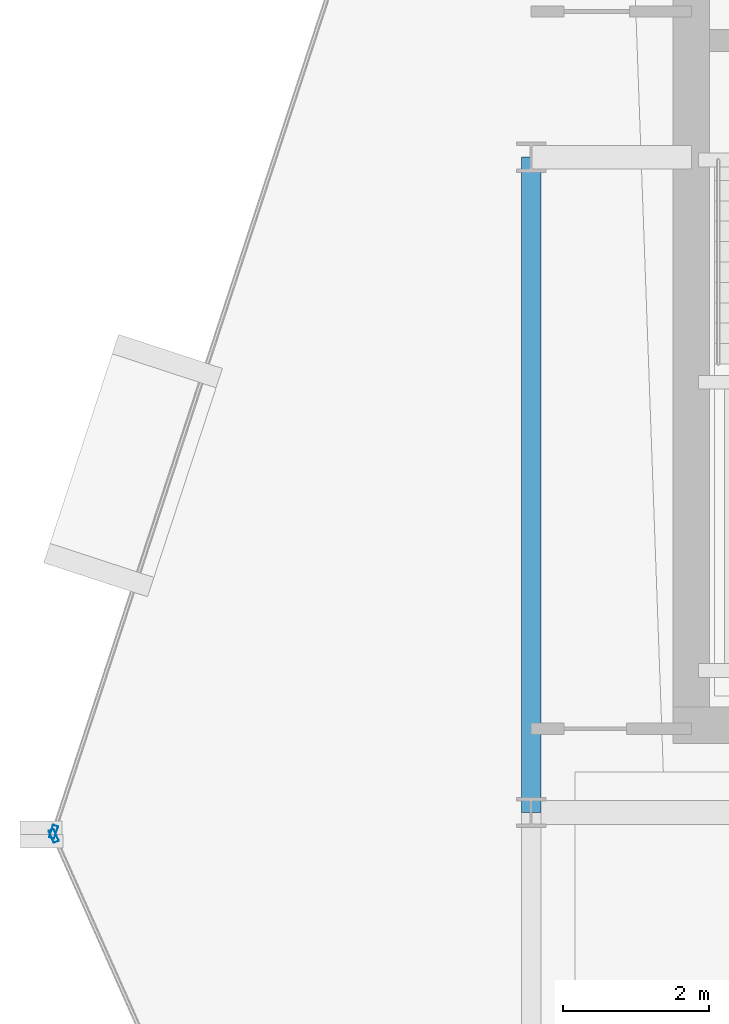
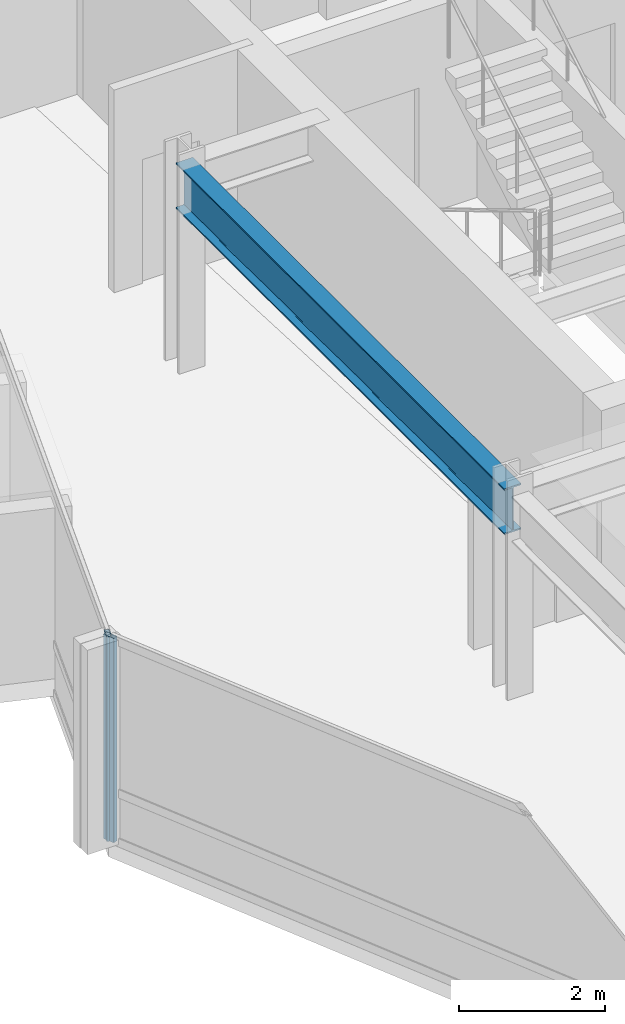
# One storey, part 6 of 27: 2 members, 1 beam, 2 elements without a shape of their own.
"""IFC4 building model written with IfcOpenShell, lengths in metres."""

from ifc_helpers import new_model, si_unit, direction, frame, origin, origin_2d, place, context, subcontext, project, spatial, hollow_rectangle, i_section, extrude, material, layer, layer_set, material_profile, profile_set, type_object, element, aggregate, save


model = new_model("IFC4")

# Units and contexts
model_context = context("Model", 3, precision=1e-05, world=origin(), true_north=direction((0.0, 1.0)))
body_context = subcontext(model_context, "Body", "Model", "MODEL_VIEW")
ifc_project = project(units=[si_unit("LENGTHUNIT", "METRE"), si_unit("AREAUNIT", "SQUARE_METRE"), si_unit("VOLUMEUNIT", "CUBIC_METRE"), si_unit("PLANEANGLEUNIT", "RADIAN"), si_unit("MASSUNIT", "GRAM", prefix="KILO")], contexts=[model_context])

# Site, building, storey
site_placement = place(None, origin())
site = spatial("IfcSite", under=ifc_project, at=site_placement, CompositionType="ELEMENT")
building_placement = place(site_placement, origin())
building = spatial("IfcBuilding", under=site, at=building_placement, Name="Solvaryn Broadcast Tower", CompositionType="ELEMENT")
storey_placement = place(building_placement, frame((0.0, 0.0, 181.60009765625)))
storey = spatial("IfcBuildingStorey", under=building, at=storey_placement, Name="L45", CompositionType="ELEMENT", Elevation=181.60009765625)

# Beam
ifc_material_1 = material(Name="Steel ASTM A992 Grade 50", Category="steel")
ifc_material_profile_1 = material_profile(ifc_material_1, i_section(OverallWidth=0.26708984375, OverallDepth=0.76611328125, WebThickness=0.014892578125, FlangeThickness=0.023681640625, FilletRadius=0.01806640625, at=origin_2d()))
ifc_profile_set_1 = profile_set([ifc_material_profile_1], Name="Steel ASTM A992 Grade 50")
beam_type = type_object("IfcBeamType", Name="BM-SP2-W30X124", PredefinedType="USERDEFINED", material=ifc_profile_set_1)
beam_placement = place(storey_placement, frame((9.0, 27.0, 3.036865234375), z_axis=(0.0, 1.0, 0.0), x_axis=(-1.0, 0.0, 0.0)))
element("IfcBeam", 1, at=beam_placement, inside=storey, type_object=beam_type, Name="L45 Spandrel Beam Y (27-36 @ X=9)", ObjectType="SPANDREL", PredefinedType="USERDEFINED", context=body_context, shape_type="SweptSolid", body=[
    extrude(i_section(OverallWidth=0.26708984375, OverallDepth=0.76611328125, WebThickness=0.014892578125, FlangeThickness=0.023681640625, FilletRadius=0.01806640625, at=origin_2d()), origin(), (0.0, 0.0, 1.0), 9.0),
])

# Curtain wall, member
ifc_material_2 = material(Name="Aluminium and Terracotta Unitised Curtain Wall", Category="masonry")
ifc_layer = layer(ifc_material_2, 0.199951171875)
ifc_layer_set = layer_set([ifc_layer], Name="CW-SYS2-LOWMID")
curtain_wall_type = type_object("IfcCurtainWallType", Name="CW-SYS2-LOWMID", PredefinedType="NOTDEFINED", material=ifc_layer_set)
curtain_wall_1_placement = place(storey_placement, origin())
curtain_wall_1 = element("IfcCurtainWall", 2, at=curtain_wall_1_placement, inside=storey, type_object=curtain_wall_type, Name="L45 Curtain Wall DR1", PredefinedType="NOTDEFINED")
ifc_material_3 = material(Name="Anodised Aluminium 6063-T6", Category="aluminium")
ifc_material_profile_2 = material_profile(ifc_material_3, hollow_rectangle(XDim=0.074951171875, YDim=0.179931640625, WallThickness=0.00390625, InnerFilletRadius=0.00390625, OuterFilletRadius=0.008056640625, at=origin_2d()))
ifc_profile_set_2 = profile_set([ifc_material_profile_2], Name="Anodised Aluminium 6063-T6")
member_type = type_object("IfcMemberType", Name="CW-MUL-180", PredefinedType="MULLION", material=ifc_profile_set_2)
member_1_placement = place(storey_placement, frame((2.4423828125, 26.734619140625, 0.0), z_axis=(0.0, 0.0, 1.0), x_axis=(0.950226902099, -0.311558717623, 0.0)))
member_1 = element("IfcMember", 3, at=member_1_placement, type_object=member_type, Name="CWS2 mullion 2", PredefinedType="MULLION", context=body_context, shape_type="SweptSolid", body=[
    extrude(hollow_rectangle(XDim=0.074951171875, YDim=0.179931640625, WallThickness=0.00390625, InnerFilletRadius=0.00390625, OuterFilletRadius=0.008056640625, at=origin_2d()), origin(), (0.0, 0.0, 1.0), 3.419921875),
])
aggregate(curtain_wall_1, [member_1])

curtain_wall_2_placement = place(storey_placement, origin())
curtain_wall_2 = element("IfcCurtainWall", 4, at=curtain_wall_2_placement, inside=storey, type_object=curtain_wall_type, Name="L45 Curtain Wall DR2", PredefinedType="NOTDEFINED")
member_2_placement = place(storey_placement, frame((2.445068359375, 26.678466796875, 0.0), z_axis=(0.0, 0.0, 1.0), x_axis=(0.913916902365, 0.405901337237, 0.0)))
member_2 = element("IfcMember", 5, at=member_2_placement, type_object=member_type, Name="CWS2 mullion 1", PredefinedType="MULLION", context=body_context, shape_type="SweptSolid", body=[
    extrude(hollow_rectangle(XDim=0.074951171875, YDim=0.179931640625, WallThickness=0.00390625, InnerFilletRadius=0.00390625, OuterFilletRadius=0.008056640625, at=origin_2d()), origin(), (0.0, 0.0, 1.0), 3.419921875),
])
aggregate(curtain_wall_2, [member_2])

save(model, "model.ifc")
